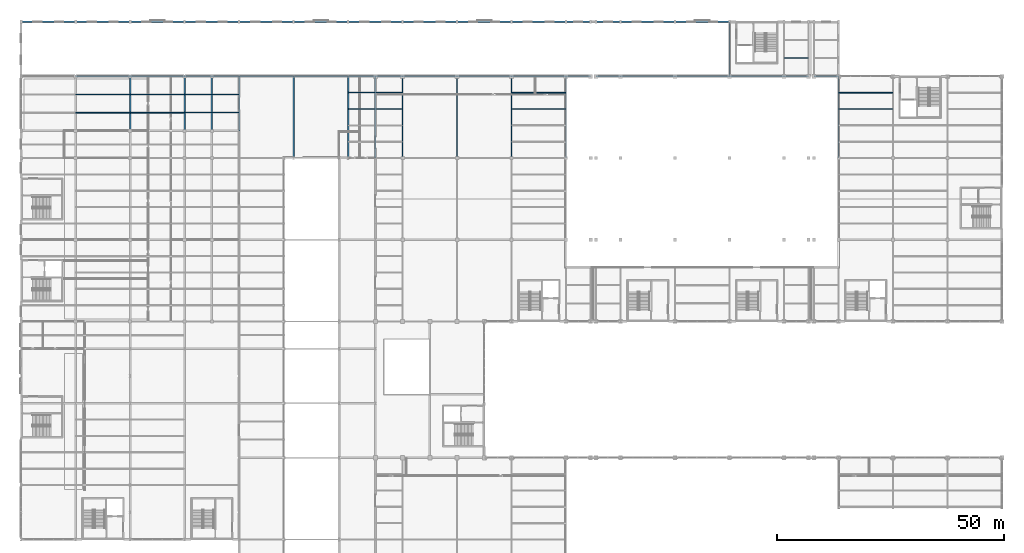
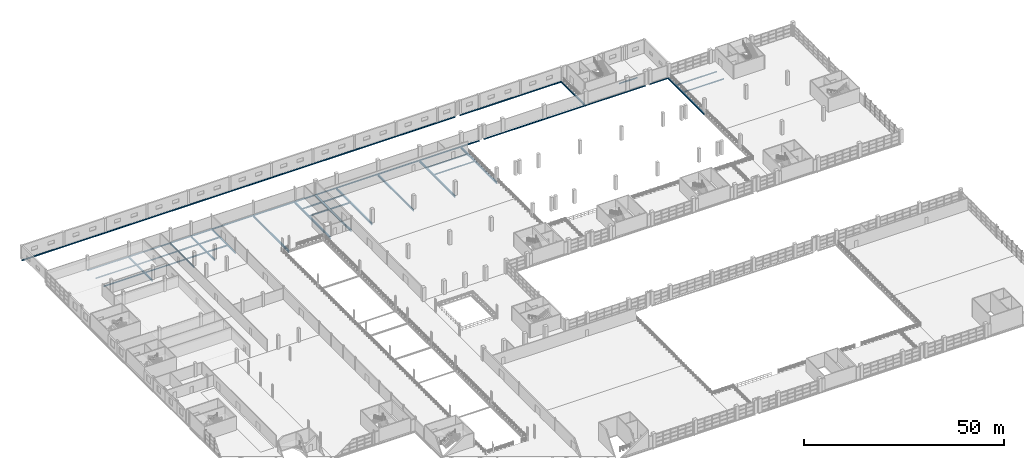
# One storey, part 118 of 158: 62 beams.
"""IFC4 building model written with IfcOpenShell, lengths in metres."""

from ifc_helpers import new_model, si_unit, direction, frame, origin, origin_2d, place, context, subcontext, project, spatial, i_section, extrude, material, material_profile, profile_set, type_object, element, save


model = new_model("IFC4")

# Units and contexts
model_context = context("Model", 3, precision=1e-05, world=origin(), true_north=direction((0.0, 1.0)))
body_context = subcontext(model_context, "Body", "Model", "MODEL_VIEW")
ifc_project = project(units=[si_unit("LENGTHUNIT", "METRE"), si_unit("AREAUNIT", "SQUARE_METRE"), si_unit("VOLUMEUNIT", "CUBIC_METRE"), si_unit("PLANEANGLEUNIT", "RADIAN"), si_unit("MASSUNIT", "GRAM", prefix="KILO")], contexts=[model_context])

# Site, building, storey
site_placement = place(None, origin())
site = spatial("IfcSite", under=ifc_project, at=site_placement, CompositionType="ELEMENT")
building_placement = place(site_placement, origin())
building = spatial("IfcBuilding", under=site, at=building_placement, Name="Zilviju Railside Exhibition Hall", CompositionType="ELEMENT")
storey_placement = place(building_placement, frame((0.0, 0.0, 4.199951171875)))
storey = spatial("IfcBuildingStorey", under=building, at=storey_placement, Name="L02", CompositionType="ELEMENT", Elevation=4.199951171875)

# Beams
ifc_material = material(Name="Steel S355J2", Category="steel")
ifc_material_profile_1 = material_profile(ifc_material, i_section(OverallWidth=0.300048828125, OverallDepth=0.2900390625, WebThickness=0.008544921875, FlangeThickness=0.013916015625, at=origin_2d()), Name="HEA 300")
ifc_profile_set_1 = profile_set([ifc_material_profile_1], Name="Steel S355J2")
beam_type_1 = type_object("IfcBeamType", Name="BM-HEA300", PredefinedType="SPANDREL", material=ifc_profile_set_1)
for number, where, z_axis, x_axis, name in (
    (1, (12.0, 138.0, -0.494873046875), (1.0, 0.0, 0.0), (0.0, 1.0, 0.0), "Primary Girder L02 Y=138.0 (12.0..24.0)"),
    (2, (24.0, 138.0, -0.494873046875), (1.0, 0.0, 0.0), (0.0, 1.0, 0.0), "Primary Girder L02 Y=138.0 (24.0..36.0)"),
):
    element("IfcBeam", number, at=place(storey_placement, frame(where, z_axis=z_axis, x_axis=x_axis)), inside=storey, type_object=beam_type_1, Name=name, PredefinedType="SPANDREL", context=body_context, shape_type="SweptSolid", body=[
        extrude(i_section(OverallWidth=0.300048828125, OverallDepth=0.2900390625, WebThickness=0.008544921875, FlangeThickness=0.013916015625, at=origin_2d()), origin(), (0.0, 0.0, 1.0), 12.0),
    ])
for number, where, z_axis, x_axis, name in (
    (3, (36.0, 138.0, -0.494873046875), (1.0, 0.0, 0.0), (0.0, 1.0, 0.0), "Primary Girder L02 Y=138.0 (36.0..42.0)"),
    (4, (42.0, 138.0, -0.494873046875), (1.0, 0.0, 0.0), (0.0, 1.0, 0.0), "Primary Girder L02 Y=138.0 (42.0..48.0)"),
):
    element("IfcBeam", number, at=place(storey_placement, frame(where, z_axis=z_axis, x_axis=x_axis)), inside=storey, type_object=beam_type_1, Name=name, PredefinedType="SPANDREL", context=body_context, shape_type="SweptSolid", body=[
        extrude(i_section(OverallWidth=0.300048828125, OverallDepth=0.2900390625, WebThickness=0.008544921875, FlangeThickness=0.013916015625, at=origin_2d()), origin(), (0.0, 0.0, 1.0), 6.0),
    ])
for number, where, z_axis, x_axis, name in (
    (5, (48.0, 138.0, -0.494873046875), (1.0, 0.0, 0.0), (0.0, 1.0, 0.0), "Primary Girder L02 Y=138.0 (48.0..60.0)"),
    (6, (60.0, 138.0, -0.494873046875), (1.0, 0.0, 0.0), (0.0, 1.0, 0.0), "Primary Girder L02 Y=138.0 (60.0..72.0)"),
):
    element("IfcBeam", number, at=place(storey_placement, frame(where, z_axis=z_axis, x_axis=x_axis)), inside=storey, type_object=beam_type_1, Name=name, PredefinedType="SPANDREL", context=body_context, shape_type="SweptSolid", body=[
        extrude(i_section(OverallWidth=0.300048828125, OverallDepth=0.2900390625, WebThickness=0.008544921875, FlangeThickness=0.013916015625, at=origin_2d()), origin(), (0.0, 0.0, 1.0), 12.0),
    ])
for number, where, z_axis, x_axis, name in (
    (7, (72.0, 138.0, -0.494873046875), (1.0, 0.0, 0.0), (0.0, 1.0, 0.0), "Primary Girder L02 Y=138.0 (72.0..78.0)"),
    (8, (78.0, 138.0, -0.494873046875), (1.0, 0.0, 0.0), (0.0, 1.0, 0.0), "Primary Girder L02 Y=138.0 (78.0..84.0)"),
):
    element("IfcBeam", number, at=place(storey_placement, frame(where, z_axis=z_axis, x_axis=x_axis)), inside=storey, type_object=beam_type_1, Name=name, PredefinedType="SPANDREL", context=body_context, shape_type="SweptSolid", body=[
        extrude(i_section(OverallWidth=0.300048828125, OverallDepth=0.2900390625, WebThickness=0.008544921875, FlangeThickness=0.013916015625, at=origin_2d()), origin(), (0.0, 0.0, 1.0), 6.0),
    ])
for number, where, z_axis, x_axis, name in (
    (9, (84.0, 138.0, -0.474853515625), (1.0, 0.0, 0.0), (0.0, 1.0, 0.0), "Primary Girder L02 Y=138.0 (84.0..96.0)"),
    (10, (96.0, 138.0, -0.474853515625), (1.0, 0.0, 0.0), (0.0, 1.0, 0.0), "Primary Girder L02 Y=138.0 (96.0..108.0)"),
    (11, (108.0, 138.0, -0.474853515625), (1.0, 0.0, 0.0), (0.0, 1.0, 0.0), "Primary Girder L02 Y=138.0 (108.0..120.0)"),
):
    element("IfcBeam", number, at=place(storey_placement, frame(where, z_axis=z_axis, x_axis=x_axis)), inside=storey, type_object=beam_type_1, Name=name, PredefinedType="SPANDREL", context=body_context, shape_type="SweptSolid", body=[
        extrude(i_section(OverallWidth=0.300048828125, OverallDepth=0.2900390625, WebThickness=0.008544921875, FlangeThickness=0.013916015625, at=origin_2d()), origin(), (0.0, 0.0, 1.0), 12.0),
    ])
for number, where, z_axis, x_axis, name in (
    (12, (120.0, 138.0, -0.48486328125), (1.0, 0.0, 0.0), (0.0, 1.0, 0.0), "Primary Girder L02 Y=138.0 (120.0..125.4)"),
    (13, (126.60009765625, 138.0, -0.48486328125), (1.0, 0.0, 0.0), (0.0, 1.0, 0.0), "Primary Girder L02 Y=138.0 (126.6..132.0)"),
):
    element("IfcBeam", number, at=place(storey_placement, frame(where, z_axis=z_axis, x_axis=x_axis)), inside=storey, type_object=beam_type_1, Name=name, PredefinedType="SPANDREL", context=body_context, shape_type="SweptSolid", body=[
        extrude(i_section(OverallWidth=0.300048828125, OverallDepth=0.2900390625, WebThickness=0.008544921875, FlangeThickness=0.013916015625, at=origin_2d()), origin(), (0.0, 0.0, 1.0), 5.39990234375),
    ])
for number, where, z_axis, x_axis, name in (
    (14, (132.0, 138.0, -0.48486328125), (1.0, 0.0, 0.0), (0.0, 1.0, 0.0), "Primary Girder L02 Y=138.0 (132.0..144.0)"),
    (15, (144.0, 138.0, -0.48486328125), (1.0, 0.0, 0.0), (0.0, 1.0, 0.0), "Primary Girder L02 Y=138.0 (144.0..156.0)"),
    (16, (156.0, 138.0, -0.474853515625), (1.0, 0.0, 0.0), (0.0, 1.0, 0.0), "Primary Girder L02 Y=138.0 (156.0..168.0)"),
):
    element("IfcBeam", number, at=place(storey_placement, frame(where, z_axis=z_axis, x_axis=x_axis)), inside=storey, type_object=beam_type_1, Name=name, PredefinedType="SPANDREL", context=body_context, shape_type="SweptSolid", body=[
        extrude(i_section(OverallWidth=0.300048828125, OverallDepth=0.2900390625, WebThickness=0.008544921875, FlangeThickness=0.013916015625, at=origin_2d()), origin(), (0.0, 0.0, 1.0), 12.0),
    ])
for number, where, z_axis, x_axis, name in (
    (17, (168.0, 138.0, -0.474853515625), (1.0, 0.0, 0.0), (0.0, 1.0, 0.0), "Primary Girder L02 Y=138.0 (168.0..173.4)"),
    (18, (174.60009765625, 138.0, -0.474853515625), (1.0, 0.0, 0.0), (0.0, 1.0, 0.0), "Primary Girder L02 Y=138.0 (174.6..180.0)"),
):
    element("IfcBeam", number, at=place(storey_placement, frame(where, z_axis=z_axis, x_axis=x_axis)), inside=storey, type_object=beam_type_1, Name=name, PredefinedType="SPANDREL", context=body_context, shape_type="SweptSolid", body=[
        extrude(i_section(OverallWidth=0.300048828125, OverallDepth=0.2900390625, WebThickness=0.008544921875, FlangeThickness=0.013916015625, at=origin_2d()), origin(), (0.0, 0.0, 1.0), 5.39990234375),
    ])
for number, where, z_axis, x_axis, name in (
    (19, (0.0, 150.0, -0.48486328125), (1.0, 0.0, 0.0), (0.0, 1.0, 0.0), "Primary Girder L02 Y=150.0 (0.0..12.0)"),
    (20, (12.0, 150.0, -0.48486328125), (1.0, 0.0, 0.0), (0.0, 1.0, 0.0), "Primary Girder L02 Y=150.0 (12.0..24.0)"),
    (21, (24.0, 150.0, -0.48486328125), (1.0, 0.0, 0.0), (0.0, 1.0, 0.0), "Primary Girder L02 Y=150.0 (24.0..36.0)"),
    (22, (36.0, 150.0, -0.48486328125), (1.0, 0.0, 0.0), (0.0, 1.0, 0.0), "Primary Girder L02 Y=150.0 (36.0..48.0)"),
    (23, (48.0, 150.0, -0.48486328125), (1.0, 0.0, 0.0), (0.0, 1.0, 0.0), "Primary Girder L02 Y=150.0 (48.0..60.0)"),
    (24, (60.0, 150.0, -0.48486328125), (1.0, 0.0, 0.0), (0.0, 1.0, 0.0), "Primary Girder L02 Y=150.0 (60.0..72.0)"),
    (25, (72.0, 150.0, -0.48486328125), (1.0, 0.0, 0.0), (0.0, 1.0, 0.0), "Primary Girder L02 Y=150.0 (72.0..84.0)"),
    (26, (84.0, 150.0, -0.48486328125), (1.0, 0.0, 0.0), (0.0, 1.0, 0.0), "Primary Girder L02 Y=150.0 (84.0..96.0)"),
    (27, (96.0, 150.0, -0.48486328125), (1.0, 0.0, 0.0), (0.0, 1.0, 0.0), "Primary Girder L02 Y=150.0 (96.0..108.0)"),
    (28, (108.0, 150.0, -0.48486328125), (1.0, 0.0, 0.0), (0.0, 1.0, 0.0), "Primary Girder L02 Y=150.0 (108.0..120.0)"),
):
    element("IfcBeam", number, at=place(storey_placement, frame(where, z_axis=z_axis, x_axis=x_axis)), inside=storey, type_object=beam_type_1, Name=name, PredefinedType="SPANDREL", context=body_context, shape_type="SweptSolid", body=[
        extrude(i_section(OverallWidth=0.300048828125, OverallDepth=0.2900390625, WebThickness=0.008544921875, FlangeThickness=0.013916015625, at=origin_2d()), origin(), (0.0, 0.0, 1.0), 12.0),
    ])
for number, where, z_axis, x_axis, name in (
    (29, (120.0, 150.0, -0.48486328125), (1.0, 0.0, 0.0), (0.0, 1.0, 0.0), "Primary Girder L02 Y=150.0 (120.0..125.4)"),
    (30, (126.60009765625, 150.0, -0.48486328125), (1.0, 0.0, 0.0), (0.0, 1.0, 0.0), "Primary Girder L02 Y=150.0 (126.6..132.0)"),
):
    element("IfcBeam", number, at=place(storey_placement, frame(where, z_axis=z_axis, x_axis=x_axis)), inside=storey, type_object=beam_type_1, Name=name, PredefinedType="SPANDREL", context=body_context, shape_type="SweptSolid", body=[
        extrude(i_section(OverallWidth=0.300048828125, OverallDepth=0.2900390625, WebThickness=0.008544921875, FlangeThickness=0.013916015625, at=origin_2d()), origin(), (0.0, 0.0, 1.0), 5.39990234375),
    ])
for number, where, z_axis, x_axis, name in (
    (31, (132.0, 150.0, -0.48486328125), (1.0, 0.0, 0.0), (0.0, 1.0, 0.0), "Primary Girder L02 Y=150.0 (132.0..144.0)"),
    (32, (144.0, 150.0, -0.48486328125), (1.0, 0.0, 0.0), (0.0, 1.0, 0.0), "Primary Girder L02 Y=150.0 (144.0..156.0)"),
):
    element("IfcBeam", number, at=place(storey_placement, frame(where, z_axis=z_axis, x_axis=x_axis)), inside=storey, type_object=beam_type_1, Name=name, PredefinedType="SPANDREL", context=body_context, shape_type="SweptSolid", body=[
        extrude(i_section(OverallWidth=0.300048828125, OverallDepth=0.2900390625, WebThickness=0.008544921875, FlangeThickness=0.013916015625, at=origin_2d()), origin(), (0.0, 0.0, 1.0), 12.0),
    ])
ifc_material_profile_2 = material_profile(ifc_material, i_section(OverallWidth=0.300048828125, OverallDepth=0.35009765625, WebThickness=0.010009765625, FlangeThickness=0.017578125, at=origin_2d()), Name="HEA 360")
ifc_profile_set_2 = profile_set([ifc_material_profile_2], Name="Steel S355J2")
beam_type_2 = type_object("IfcBeamType", Name="BM-HEA360", PredefinedType="BEAM", material=ifc_profile_set_2)
beam_1_placement = place(storey_placement, frame((48.0, 126.0, -0.52490234375), z_axis=(0.0, 1.0, 0.0), x_axis=(-1.0, 0.0, 0.0)))
element("IfcBeam", 33, at=beam_1_placement, inside=storey, type_object=beam_type_2, Name="Transverse Girder L02 X=48.0 (126.0..138.0)", PredefinedType="BEAM", context=body_context, shape_type="SweptSolid", body=[
    extrude(i_section(OverallWidth=0.300048828125, OverallDepth=0.35009765625, WebThickness=0.010009765625, FlangeThickness=0.017578125, at=origin_2d()), origin(), (0.0, 0.0, 1.0), 12.0),
])
ifc_material_profile_3 = material_profile(ifc_material, i_section(OverallWidth=0.300048828125, OverallDepth=0.449951171875, WebThickness=0.013916015625, FlangeThickness=0.02587890625, at=origin_2d()), Name="HEB 450")
ifc_profile_set_3 = profile_set([ifc_material_profile_3], Name="Steel S355J2")
beam_type_3 = type_object("IfcBeamType", Name="BM-HEB450", PredefinedType="BEAM", material=ifc_profile_set_3)
for number, where, z_axis, x_axis, name in (
    (34, (24.0, 126.0, -0.574951171875), (0.0, 1.0, 0.0), (-1.0, 0.0, 0.0), "Transverse Girder L02 X=24.0 (126.0..138.0)"),
    (35, (36.0, 126.0, -0.574951171875), (0.0, 1.0, 0.0), (-1.0, 0.0, 0.0), "Transverse Girder L02 X=36.0 (126.0..138.0)"),
    (36, (42.0, 126.0, -0.574951171875), (0.0, 1.0, 0.0), (-1.0, 0.0, 0.0), "Transverse Girder L02 X=42.0 (126.0..138.0)"),
    (37, (156.0, 138.0, -0.554931640625), (0.0, 1.0, 0.0), (-1.0, 0.0, 0.0), "Transverse Girder L02 X=156.0 (138.0..150.0)"),
):
    element("IfcBeam", number, at=place(storey_placement, frame(where, z_axis=z_axis, x_axis=x_axis)), inside=storey, type_object=beam_type_3, Name=name, PredefinedType="BEAM", context=body_context, shape_type="SweptSolid", body=[
        extrude(i_section(OverallWidth=0.300048828125, OverallDepth=0.449951171875, WebThickness=0.013916015625, FlangeThickness=0.02587890625, at=origin_2d()), origin(), (0.0, 0.0, 1.0), 12.0),
    ])
ifc_material_profile_4 = material_profile(ifc_material, i_section(OverallWidth=0.300048828125, OverallDepth=0.5, WebThickness=0.014404296875, FlangeThickness=0.028076171875, at=origin_2d()), Name="HEB 500")
ifc_profile_set_4 = profile_set([ifc_material_profile_4], Name="Steel S355J2")
beam_type_4 = type_object("IfcBeamType", Name="BM-HEB500", PredefinedType="BEAM", material=ifc_profile_set_4)
for number, where, z_axis, x_axis, name in (
    (38, (78.0, 120.0, -0.599853515625), (0.0, 1.0, 0.0), (-1.0, 0.0, 0.0), "Transverse Girder L02 X=78.0 (120.0..138.0)"),
    (39, (180.0, 120.0, -0.579833984375), (0.0, 1.0, 0.0), (-1.0, 0.0, 0.0), "Transverse Girder L02 X=180.0 (120.0..138.0)"),
):
    element("IfcBeam", number, at=place(storey_placement, frame(where, z_axis=z_axis, x_axis=x_axis)), inside=storey, type_object=beam_type_4, Name=name, PredefinedType="BEAM", context=body_context, shape_type="SweptSolid", body=[
        extrude(i_section(OverallWidth=0.300048828125, OverallDepth=0.5, WebThickness=0.014404296875, FlangeThickness=0.028076171875, at=origin_2d()), origin(), (0.0, 0.0, 1.0), 18.0),
    ])
ifc_material_profile_5 = material_profile(ifc_material, i_section(OverallWidth=0.300048828125, OverallDepth=0.60009765625, WebThickness=0.015380859375, FlangeThickness=0.030029296875, at=origin_2d()), Name="HEB 600")
ifc_profile_set_5 = profile_set([ifc_material_profile_5], Name="Steel S355J2")
beam_type_5 = type_object("IfcBeamType", Name="BM-HEB600", PredefinedType="BEAM", material=ifc_profile_set_5)
for number, where, z_axis, x_axis, name in (
    (40, (60.0, 120.0, -0.64990234375), (0.0, 1.0, 0.0), (-1.0, 0.0, 0.0), "Transverse Girder L02 X=60.0 (120.0..138.0)"),
    (41, (72.0, 120.0, -0.64990234375), (0.0, 1.0, 0.0), (-1.0, 0.0, 0.0), "Transverse Girder L02 X=72.0 (120.0..138.0)"),
    (42, (84.0, 120.0, -0.6298828125), (0.0, 1.0, 0.0), (-1.0, 0.0, 0.0), "Transverse Girder L02 X=84.0 (120.0..138.0)"),
    (43, (96.0, 120.0, -0.6298828125), (0.0, 1.0, 0.0), (-1.0, 0.0, 0.0), "Transverse Girder L02 X=96.0 (120.0..138.0)"),
    (44, (108.0, 120.0, -0.6298828125), (0.0, 1.0, 0.0), (-1.0, 0.0, 0.0), "Transverse Girder L02 X=108.0 (120.0..138.0)"),
    (45, (120.0, 120.0, -0.6298828125), (0.0, 1.0, 0.0), (-1.0, 0.0, 0.0), "Transverse Girder L02 X=120.0 (120.0..138.0)"),
):
    element("IfcBeam", number, at=place(storey_placement, frame(where, z_axis=z_axis, x_axis=x_axis)), inside=storey, type_object=beam_type_5, Name=name, PredefinedType="BEAM", context=body_context, shape_type="SweptSolid", body=[
        extrude(i_section(OverallWidth=0.300048828125, OverallDepth=0.60009765625, WebThickness=0.015380859375, FlangeThickness=0.030029296875, at=origin_2d()), origin(), (0.0, 0.0, 1.0), 18.0),
    ])
ifc_material_profile_6 = material_profile(ifc_material, i_section(OverallWidth=0.1201171875, OverallDepth=0.239990234375, WebThickness=0.006103515625, FlangeThickness=0.009765625, at=origin_2d()), Name="IPE 240")
ifc_profile_set_6 = profile_set([ifc_material_profile_6], Name="Steel S355J2")
beam_type_6 = type_object("IfcBeamType", Name="BM-IPE240", PredefinedType="JOIST", material=ifc_profile_set_6)
beam_2_placement = place(storey_placement, frame((168.080078125, 142.0, -0.449951171875), z_axis=(1.0, 0.0, 0.0), x_axis=(0.0, 1.0, 0.0)))
element("IfcBeam", 46, at=beam_2_placement, inside=storey, type_object=beam_type_6, Name="Composite Floor Joist L02 Y=142.00 (168.0..173.4)", PredefinedType="JOIST", context=body_context, shape_type="SweptSolid", body=[
    extrude(i_section(OverallWidth=0.1201171875, OverallDepth=0.239990234375, WebThickness=0.006103515625, FlangeThickness=0.009765625, at=origin_2d()), origin(), (0.0, 0.0, 1.0), 5.239990234375),
])
ifc_material_profile_7 = material_profile(ifc_material, i_section(OverallWidth=0.14990234375, OverallDepth=0.300048828125, WebThickness=0.007080078125, FlangeThickness=0.0107421875, at=origin_2d()), Name="IPE 300")
ifc_profile_set_7 = profile_set([ifc_material_profile_7], Name="Steel S355J2")
beam_type_7 = type_object("IfcBeamType", Name="BM-IPE300", PredefinedType="JOIST", material=ifc_profile_set_7)
for number, where, z_axis, x_axis, name in (
    (47, (36.080078125, 130.0, -0.5), (1.0, 0.0, 0.0), (0.0, 1.0, 0.0), "Composite Floor Joist L02 Y=130.00 (36.0..42.0)"),
    (48, (36.080078125, 134.0, -0.5), (1.0, 0.0, 0.0), (0.0, 1.0, 0.0), "Composite Floor Joist L02 Y=134.00 (36.0..42.0)"),
    (49, (42.080078125, 130.0, -0.5), (1.0, 0.0, 0.0), (0.0, 1.0, 0.0), "Composite Floor Joist L02 Y=130.00 (42.0..48.0)"),
    (50, (42.080078125, 134.0, -0.5), (1.0, 0.0, 0.0), (0.0, 1.0, 0.0), "Composite Floor Joist L02 Y=134.00 (42.0..48.0)"),
    (51, (72.080078125, 130.800048828125, -0.5), (1.0, 0.0, 0.0), (0.0, 1.0, 0.0), "Composite Floor Joist L02 Y=130.80 (72.0..78.0)"),
    (52, (72.080078125, 134.39990234375, -0.5), (1.0, 0.0, 0.0), (0.0, 1.0, 0.0), "Composite Floor Joist L02 Y=134.40 (72.0..78.0)"),
    (53, (78.080078125, 130.800048828125, -0.5), (1.0, 0.0, 0.0), (0.0, 1.0, 0.0), "Composite Floor Joist L02 Y=130.80 (78.0..84.0)"),
    (54, (78.080078125, 134.39990234375, -0.5), (1.0, 0.0, 0.0), (0.0, 1.0, 0.0), "Composite Floor Joist L02 Y=134.40 (78.0..84.0)"),
):
    element("IfcBeam", number, at=place(storey_placement, frame(where, z_axis=z_axis, x_axis=x_axis)), inside=storey, type_object=beam_type_7, Name=name, PredefinedType="JOIST", context=body_context, shape_type="SweptSolid", body=[
        extrude(i_section(OverallWidth=0.14990234375, OverallDepth=0.300048828125, WebThickness=0.007080078125, FlangeThickness=0.0107421875, at=origin_2d()), origin(), (0.0, 0.0, 1.0), 5.83984375),
    ])
ifc_material_profile_8 = material_profile(ifc_material, i_section(OverallWidth=0.169921875, OverallDepth=0.360107421875, WebThickness=0.008056640625, FlangeThickness=0.0126953125, at=origin_2d()), Name="IPE 360")
ifc_profile_set_8 = profile_set([ifc_material_profile_8], Name="Steel S355J2")
beam_type_8 = type_object("IfcBeamType", Name="BM-IPE360", PredefinedType="JOIST", material=ifc_profile_set_8)
for number, where, z_axis, x_axis, name in (
    (55, (12.080078125, 130.0, -0.530029296875), (1.0, 0.0, 0.0), (0.0, 1.0, 0.0), "Composite Floor Joist L02 Y=130.00 (12.0..24.0)"),
    (56, (12.080078125, 134.0, -0.530029296875), (1.0, 0.0, 0.0), (0.0, 1.0, 0.0), "Composite Floor Joist L02 Y=134.00 (12.0..24.0)"),
    (57, (24.080078125, 130.0, -0.530029296875), (1.0, 0.0, 0.0), (0.0, 1.0, 0.0), "Composite Floor Joist L02 Y=130.00 (24.0..36.0)"),
    (58, (24.080078125, 134.0, -0.530029296875), (1.0, 0.0, 0.0), (0.0, 1.0, 0.0), "Composite Floor Joist L02 Y=134.00 (24.0..36.0)"),
    (59, (108.080078125, 130.800048828125, -0.510009765625), (1.0, 0.0, 0.0), (0.0, 1.0, 0.0), "Composite Floor Joist L02 Y=130.80 (108.0..120.0)"),
    (60, (108.080078125, 134.39990234375, -0.510009765625), (1.0, 0.0, 0.0), (0.0, 1.0, 0.0), "Composite Floor Joist L02 Y=134.40 (108.0..120.0)"),
    (61, (180.080078125, 130.800048828125, -0.510009765625), (1.0, 0.0, 0.0), (0.0, 1.0, 0.0), "Composite Floor Joist L02 Y=130.80 (180.0..192.0)"),
    (62, (180.080078125, 134.39990234375, -0.510009765625), (1.0, 0.0, 0.0), (0.0, 1.0, 0.0), "Composite Floor Joist L02 Y=134.40 (180.0..192.0)"),
):
    element("IfcBeam", number, at=place(storey_placement, frame(where, z_axis=z_axis, x_axis=x_axis)), inside=storey, type_object=beam_type_8, Name=name, PredefinedType="JOIST", context=body_context, shape_type="SweptSolid", body=[
        extrude(i_section(OverallWidth=0.169921875, OverallDepth=0.360107421875, WebThickness=0.008056640625, FlangeThickness=0.0126953125, at=origin_2d()), origin(), (0.0, 0.0, 1.0), 11.83984375),
    ])

save(model, "model.ifc")
